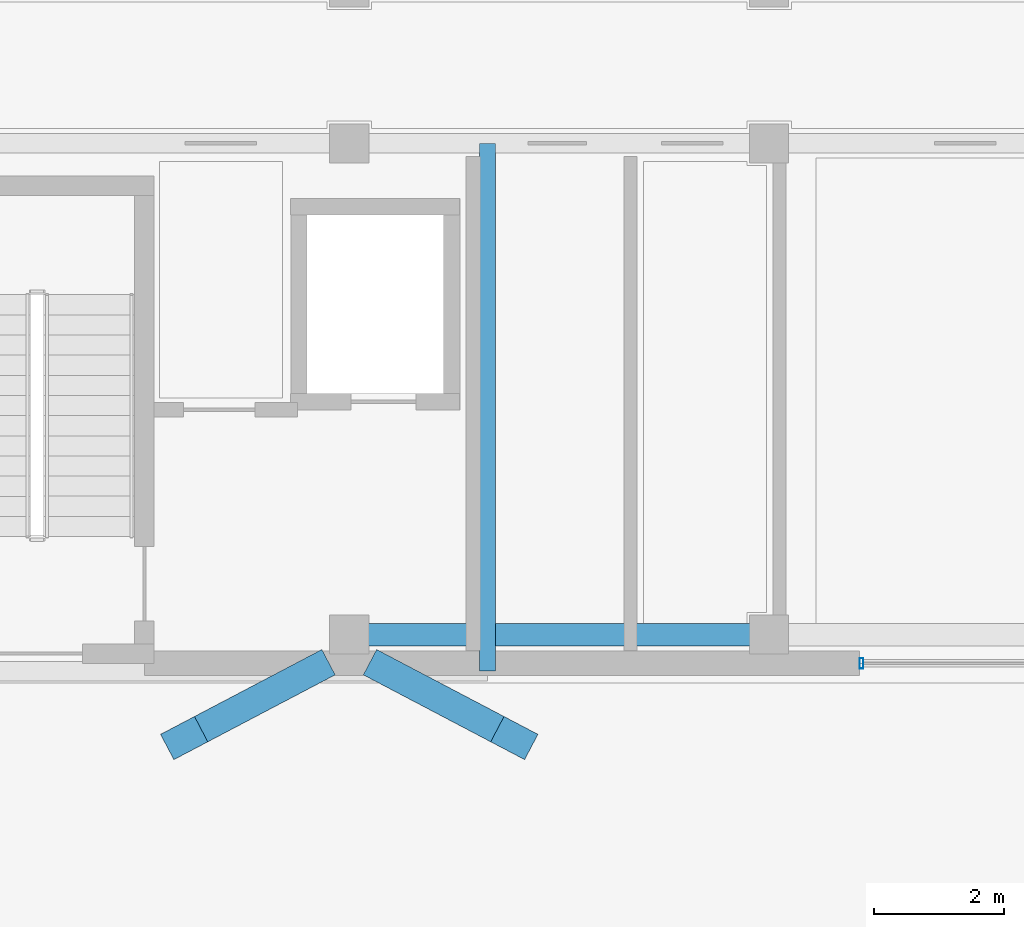
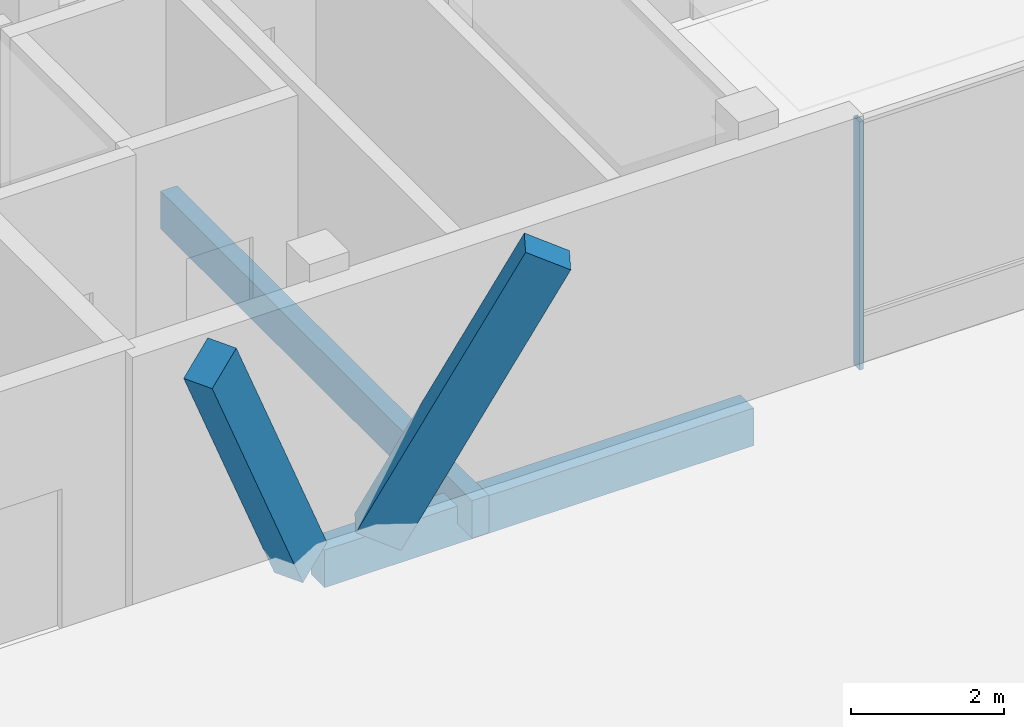
# One storey, part 111 of 233: 3 members, 2 beams, 1 element without a shape of its own.
"""IFC4 building model written with IfcOpenShell, lengths in metres."""

import ifcopenshell
import ifcopenshell.guid

model = None  # the IFC model being written
_history = None  # IfcOwnerHistory: only IFC2X3 demands one
_inside = {}  # id of a spatial element -> (the spatial element, [elements in it])
_under = {}  # id of a project, library or spatial element -> (it, [spatial elements below it])
_declared = {}  # id of a project -> (the project, [libraries it declares])
_typed = {}  # id of a type object -> (the type object, [elements of that type])
_made_of = {}  # id of a material, layer set ... -> (it, [elements and type objects made of it])


def new_model(schema):
    """Start an empty IFC model of exactly this schema.

    Asked for "IFC4X3", IfcOpenShell would pick the latest addendum, in which some entities
    have other attributes; the version numbers below select the first issue.
    IFC2X3 requires an IfcOwnerHistory on every rooted entity: one is made here for all.
    """
    global model, _history
    if schema == "IFC4X3":
        model = ifcopenshell.file(schema_version=(4, 3, 0, 0))
    else:
        model = ifcopenshell.file(schema=schema)
    _inside.clear()
    _under.clear()
    _declared.clear()
    _typed.clear()
    _made_of.clear()
    _history = None
    if model.schema == "IFC2X3":
        org = make("IfcOrganization", Name="unknown")
        user = make(
            "IfcPersonAndOrganization",
            ThePerson=make("IfcPerson", FamilyName="unknown"),
            TheOrganization=org,
        )
        app = make(
            "IfcApplication",
            ApplicationDeveloper=org,
            Version="unknown",
            ApplicationFullName="unknown",
            ApplicationIdentifier="unknown",
        )
        _history = make(
            "IfcOwnerHistory",
            OwningUser=user,
            OwningApplication=app,
            ChangeAction="ADDED",
            CreationDate=0,
        )
    return model


def make(cls, **values):
    """One entity of the class cls with the attributes given. An attribute that is None is left unset."""
    return model.create_entity(
        cls, **{name: value for name, value in values.items() if value is not None}
    )


def rooted(cls, **values):
    """An entity with a GlobalId (a new one), such as an element, a storey or a relation."""
    return make(cls, GlobalId=ifcopenshell.guid.new(), OwnerHistory=_history, **values)


def si_unit(unit_type, name, prefix=None):
    """IfcSIUnit, for example si_unit("LENGTHUNIT", "METRE", prefix="MILLI")."""
    return make("IfcSIUnit", UnitType=unit_type, Prefix=prefix, Name=name)


def assignment(units):
    """IfcUnitAssignment: the units of a project."""
    return None if units is None else make("IfcUnitAssignment", Units=units)


def point(xyz):
    """IfcCartesianPoint."""
    return None if xyz is None else make("IfcCartesianPoint", Coordinates=xyz)


def direction(xyz):
    """IfcDirection."""
    return None if xyz is None else make("IfcDirection", DirectionRatios=xyz)


def frame(location, z_axis=None, x_axis=None):
    """IfcAxis2Placement3D, a coordinate frame: its origin and axes. An axis left out is left unset."""
    return make(
        "IfcAxis2Placement3D",
        Location=point(location),
        Axis=direction(z_axis),
        RefDirection=direction(x_axis),
    )


def frame_2d(location, x_axis=None):
    """IfcAxis2Placement2D, a coordinate frame in the plane: its origin and x axis."""
    return make(
        "IfcAxis2Placement2D", Location=point(location), RefDirection=direction(x_axis)
    )


def origin():
    """The frame at (0, 0, 0) with its axes left unset."""
    return frame((0.0, 0.0, 0.0))


def origin_2d():
    """The frame at (0, 0) in the plane with its x axis left unset."""
    return frame_2d((0.0, 0.0))


def place(relative_to, where):
    """IfcLocalPlacement: puts the frame where relative to a parent placement (None: the world)."""
    return make(
        "IfcLocalPlacement", PlacementRelTo=relative_to, RelativePlacement=where
    )


def context(
    kind, dimensions, precision=None, world=None, true_north=None, identifier=None
):
    """IfcGeometricRepresentationContext, for example the 3D "Model" context."""
    return make(
        "IfcGeometricRepresentationContext",
        ContextIdentifier=identifier,
        ContextType=kind,
        CoordinateSpaceDimension=dimensions,
        Precision=precision,
        WorldCoordinateSystem=world,
        TrueNorth=true_north,
    )


def subcontext(parent, identifier, kind, view, scale=None):
    """IfcGeometricRepresentationSubContext, for example "Body" below "Model"."""
    return make(
        "IfcGeometricRepresentationSubContext",
        ContextIdentifier=identifier,
        ContextType=kind,
        ParentContext=parent,
        TargetScale=scale,
        TargetView=view,
    )


def project(units=None, contexts=None):
    """IfcProject with its units and contexts."""
    return rooted(
        "IfcProject",
        Name="project",
        RepresentationContexts=contexts,
        UnitsInContext=assignment(units),
    )


def spatial(cls, under=None, at=None, **own):
    """A site, building, storey or space (cls), placed at a placement, below another one or the project."""
    s = rooted(cls, ObjectPlacement=at, **own)
    if under is not None:
        _under.setdefault(under.id(), (under, []))[1].append(s)
    return s


def profile(cls, at=None, kind="AREA", **sizes):
    """A parametric profile (cls). Its sizes go by their IFC names, for example OverallWidth=200.0."""
    return make(cls, ProfileType=kind, Position=at, **sizes)


def rectangle(**sizes):
    """IfcRectangleProfileDef."""
    return profile("IfcRectangleProfileDef", **sizes)


def hollow_rectangle(**sizes):
    """IfcRectangleHollowProfileDef."""
    return profile("IfcRectangleHollowProfileDef", **sizes)


def extrude(swept, where, along, depth):
    """IfcExtrudedAreaSolid: the profile swept, set in the frame where, extruded along a direction by depth."""
    return make(
        "IfcExtrudedAreaSolid",
        SweptArea=swept,
        Position=where,
        ExtrudedDirection=direction(along),
        Depth=depth,
    )


def shape(context_of_items, identifier, shape_type, items):
    """IfcShapeRepresentation: the items that make up one representation, for example the "Body"."""
    return make(
        "IfcShapeRepresentation",
        ContextOfItems=context_of_items,
        RepresentationIdentifier=identifier,
        RepresentationType=shape_type,
        Items=items,
    )


def material(Name=None, Category=None):
    """IfcMaterial."""
    return make("IfcMaterial", Name=Name, Category=Category)


def material_profile(
    of_material, cross_section, Name=None, Category=None, Priority=None
):
    """IfcMaterialProfile: a cross section and its material."""
    return make(
        "IfcMaterialProfile",
        Name=Name,
        Material=of_material,
        Profile=cross_section,
        Priority=Priority,
        Category=Category,
    )


def profile_set(profiles, Name=None, composite=None):
    """IfcMaterialProfileSet."""
    return make(
        "IfcMaterialProfileSet",
        Name=Name,
        MaterialProfiles=profiles,
        CompositeProfile=composite,
    )


def made_of(thing, what):
    """Note that an element or type object is made of a material, layer set ...; save() writes the relation."""
    if what is not None:
        _made_of.setdefault(what.id(), (what, []))[1].append(thing)
    return thing


def type_object(cls, material=None, **own):
    """A type object (cls), such as IfcWallType, which elements share."""
    return made_of(rooted(cls, **own), material)


def element(
    cls,
    number,
    at=None,
    inside=None,
    cuts=None,
    type_object=None,
    material=None,
    context=None,
    identifier="Body",
    shape_type=None,
    held_by="IfcProductDefinitionShape",
    body=None,
    shapes=None,
    **own,
):
    """One element of the class cls, such as IfcWall. Its Tag is "e" and its number.

    at: its placement. inside: the storey or other place that contains it. cuts: it is an
    opening in that element (IfcRelVoidsElement). A single representation is given by context,
    identifier, shape_type and body (its items); several are given by shapes. held_by: the class
    of the entity that holds the representations. save() writes the other relations.
    """
    e = rooted(cls, Tag="e%d" % number, ObjectPlacement=at, **own)
    if body is not None:
        shapes = [shape(context, identifier, shape_type, body)]
    if shapes is not None:
        e.Representation = make(held_by, Representations=shapes)
    if inside is not None:
        _inside.setdefault(inside.id(), (inside, []))[1].append(e)
    if cuts is not None:
        rooted(
            "IfcRelVoidsElement", RelatingBuildingElement=cuts, RelatedOpeningElement=e
        )
    if type_object is not None:
        _typed.setdefault(type_object.id(), (type_object, []))[1].append(e)
    return made_of(e, material)


def aggregate(whole, parts):
    """IfcRelAggregates: a whole, such as a stair, and the parts it consists of."""
    return rooted("IfcRelAggregates", RelatingObject=whole, RelatedObjects=parts)


def save(model, path):
    """Write the relations noted so far, then the file.

    IfcRelAggregates (storeys below a building ...), IfcRelContainedInSpatialStructure (elements
    in a storey), IfcRelDefinesByType, IfcRelAssociatesMaterial and IfcRelDeclares: one each for
    every whole, place, type object, material and project.
    """
    for whole, parts in _under.values():
        aggregate(whole, parts)
    for where, things in _inside.values():
        rooted(
            "IfcRelContainedInSpatialStructure",
            RelatedElements=things,
            RelatingStructure=where,
        )
    for kind, things in _typed.values():
        rooted("IfcRelDefinesByType", RelatedObjects=things, RelatingType=kind)
    for what, things in _made_of.values():
        rooted("IfcRelAssociatesMaterial", RelatedObjects=things, RelatingMaterial=what)
    for by, libraries in _declared.values():
        rooted("IfcRelDeclares", RelatingContext=by, RelatedDefinitions=libraries)
    model.write(path)


model = new_model("IFC4")

# Units and contexts
model_context = context("Model", 3, precision=1e-05, world=origin(), true_north=direction((0.0, 1.0)))
body_context = subcontext(model_context, "Body", "Model", "MODEL_VIEW")
ifc_project = project(units=[si_unit("LENGTHUNIT", "METRE"), si_unit("AREAUNIT", "SQUARE_METRE"), si_unit("VOLUMEUNIT", "CUBIC_METRE"), si_unit("PLANEANGLEUNIT", "RADIAN"), si_unit("MASSUNIT", "GRAM", prefix="KILO")], contexts=[model_context])

# Site, building, storey
site_placement = place(None, origin())
site = spatial("IfcSite", under=ifc_project, at=site_placement, CompositionType="ELEMENT")
building_placement = place(site_placement, origin())
building = spatial("IfcBuilding", under=site, at=building_placement, Name="Zavelmont Quarter", CompositionType="ELEMENT")
storey_placement = place(building_placement, origin())
storey = spatial("IfcBuildingStorey", under=building, at=storey_placement, Name="L00", CompositionType="ELEMENT", Elevation=0.0)

# Beams
ifc_material_1 = material(Name="Concrete C35/45", Category="concrete")
ifc_material_profile_1 = material_profile(ifc_material_1, rectangle(XDim=0.35009765625, YDim=0.60009765625, at=origin_2d()), Name="RC350X600")
ifc_profile_set_1 = profile_set([ifc_material_profile_1], Name="Concrete C35/45")
beam_type_1 = type_object("IfcBeamType", Name="BM01", PredefinedType="SPANDREL", material=ifc_profile_set_1)
beam_1_placement = place(storey_placement, frame((34.5, 98.0400390625, -0.6201171875), z_axis=(1.0, 0.0, 0.0), x_axis=(0.0, 1.0, 0.0)))
element("IfcBeam", 1, at=beam_1_placement, inside=storey, type_object=beam_type_1, Name="L00 beam BM01 6/P to 7/P", PredefinedType="SPANDREL", context=body_context, shape_type="SweptSolid", body=[
    extrude(rectangle(XDim=0.35009765625, YDim=0.60009765625, at=origin_2d()), origin(), (0.0, 0.0, 1.0), 6.4599609375),
])
ifc_material_2 = material(Name="Concrete C40/50", Category="concrete")
ifc_material_profile_2 = material_profile(ifc_material_2, rectangle(XDim=0.25, YDim=0.60009765625, at=origin_2d()), Name="RC250X600")
ifc_profile_set_2 = profile_set([ifc_material_profile_2], Name="Concrete C40/50")
beam_type_2 = type_object("IfcBeamType", Name="BM18", PredefinedType="BEAM", material=ifc_profile_set_2)
beam_2_placement = place(storey_placement, frame((36.625, 105.60009765625, -0.300048828125), z_axis=(0.0, -1.0, 0.0), x_axis=(1.0, 0.0, 0.0)))
element("IfcBeam", 2, at=beam_2_placement, inside=storey, type_object=beam_type_2, Name="L00 beam BM18 6/Q to 6/P", PredefinedType="BEAM", context=body_context, shape_type="SweptSolid", body=[
    extrude(rectangle(XDim=0.25, YDim=0.60009765625, at=origin_2d()), origin(), (0.0, 0.0, 1.0), 8.1201171875),
])

# Curtain wall, member
ifc_material_3 = material(Name="Thermally broken aluminium and double low-E safety glazing", Category="aluminium")
curtain_wall_type = type_object("IfcCurtainWallType", Name="CW-1185X395", PredefinedType="NOTDEFINED", material=ifc_material_3)
curtain_wall_placement = place(storey_placement, origin())
curtain_wall = element("IfcCurtainWall", 3, at=curtain_wall_placement, inside=storey, type_object=curtain_wall_type, Name="L00 unitised curtain wall CW-1185X395", PredefinedType="NOTDEFINED")
ifc_material_4 = material(Name="Powder-coated aluminium EN AW-6063-T6", Category="aluminium")
ifc_material_profile_3 = material_profile(ifc_material_4, hollow_rectangle(XDim=0.06005859375, YDim=0.159912109375, WallThickness=0.00390625, at=origin_2d()), Name="CWM60X160")
ifc_profile_set_3 = profile_set([ifc_material_profile_3], Name="Powder-coated aluminium EN AW-6063-T6")
member_type_1 = type_object("IfcMemberType", Name="CWM01", PredefinedType="MULLION", material=ifc_profile_set_3)
member_placement = place(storey_placement, frame((42.3798828125, 97.60009765625, 0.0), z_axis=(0.0, 0.0, 1.0), x_axis=(1.0, 0.0, 0.0)))
member = element("IfcMember", 4, at=member_placement, type_object=member_type_1, Name="CW-1185X395 mullion 1", PredefinedType="MULLION", context=body_context, shape_type="SweptSolid", body=[
    extrude(hollow_rectangle(XDim=0.06005859375, YDim=0.159912109375, WallThickness=0.00390625, at=origin_2d()), origin(), (0.0, 0.0, 1.0), 3.949951171875),
])
aggregate(curtain_wall, [member])

# Members
ifc_material_5 = material(Name="White architectural precast concrete C40/50", Category="concrete")
ifc_material_profile_4 = material_profile(ifc_material_5, rectangle(XDim=0.43994140625, YDim=0.659912109375, at=origin_2d()), Name="PCR320X480")
ifc_profile_set_4 = profile_set([ifc_material_profile_4], Name="White architectural precast concrete C40/50")
member_type_2 = type_object("IfcMemberType", Name="VR01M", PredefinedType="CHORD", material=ifc_profile_set_4)
for number, where, z_axis, x_axis, name in (
    (5, (33.919921875, 97.47998046875, 0.0), (-0.397787868257, -0.209129846252, 0.893324979654), (0.465341803396, -0.885131067138, 0.0), "L00 member VR01M 6/P to 6/P"),
    (6, (35.080078125, 97.47998046875, 0.0), (0.397787868257, -0.209129846252, 0.893324979654), (0.465341803396, 0.885131067138, 0.0), "L00 member VR01M 6/P to 6/P"),
):
    element("IfcMember", number, at=place(storey_placement, frame(where, z_axis=z_axis, x_axis=x_axis)), inside=storey, type_object=member_type_2, Name=name, PredefinedType="CHORD", context=body_context, shape_type="SweptSolid", body=[
        extrude(rectangle(XDim=0.43994140625, YDim=0.659912109375, at=origin_2d()), origin(), (0.0, 0.0, 1.0), 4.92529296875),
    ])

save(model, "model.ifc")
